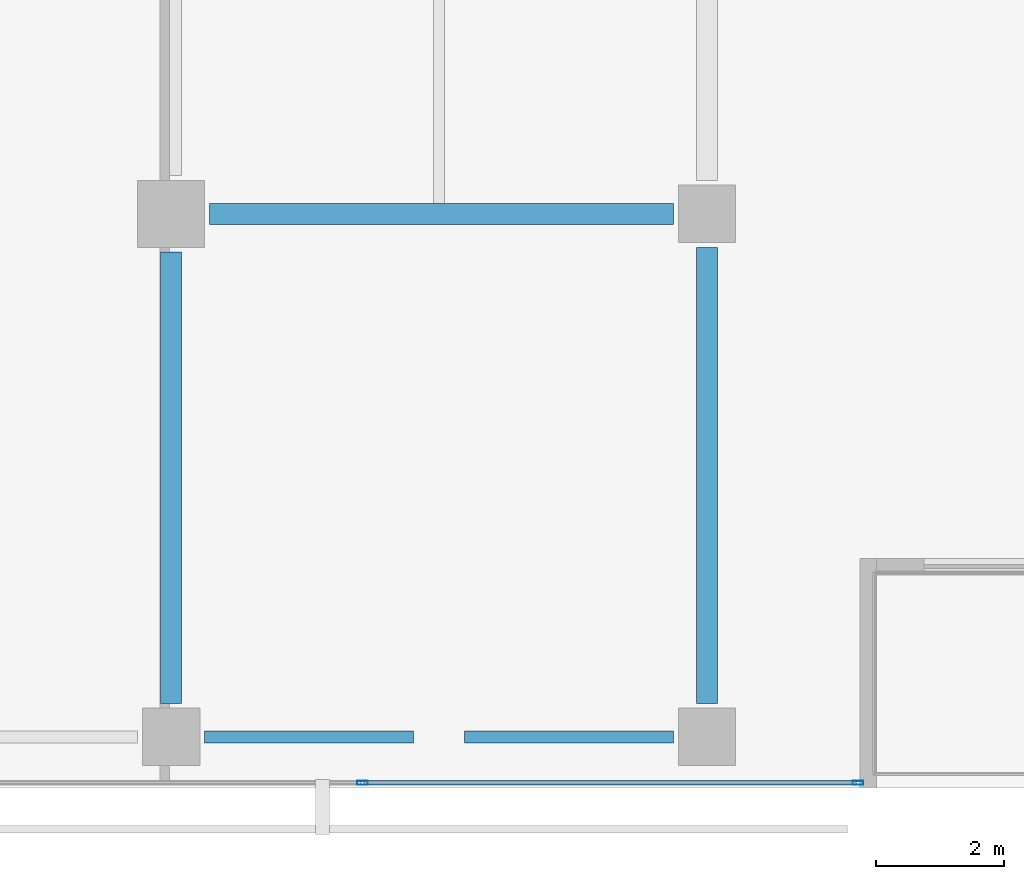
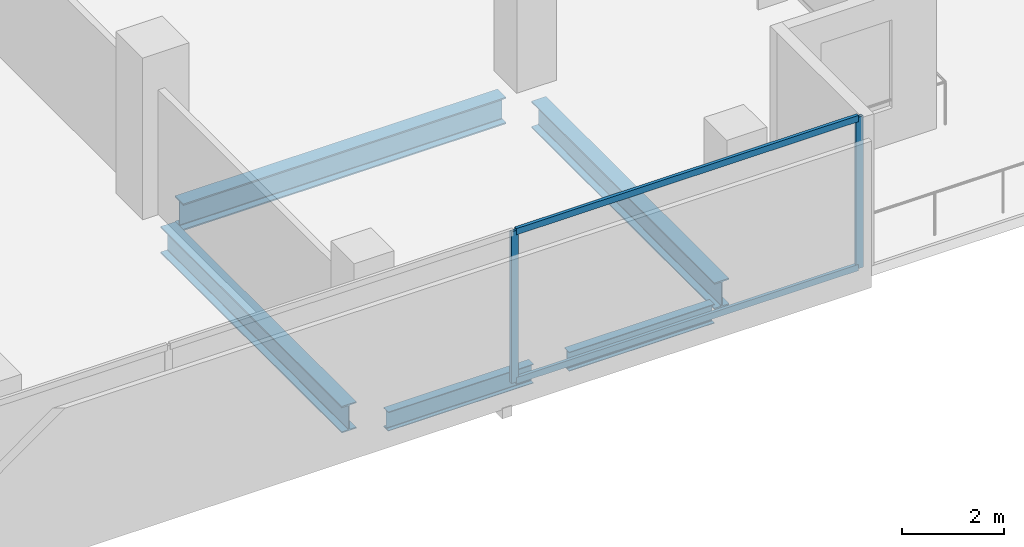
# One storey, part 10 of 31: 5 beams, 4 members, 1 element without a shape of its own.
"""IFC4 building model written with IfcOpenShell, lengths in metres."""

from ifc_helpers import new_model, si_unit, direction, frame, origin, origin_2d, place, context, subcontext, project, spatial, hollow_rectangle, i_section, extrude, material, layer, layer_set, material_profile, profile_set, type_object, element, aggregate, save


model = new_model("IFC4")

# Units and contexts
model_context = context("Model", 3, precision=1e-05, world=origin(), true_north=direction((0.0, 1.0)))
body_context = subcontext(model_context, "Body", "Model", "MODEL_VIEW")
ifc_project = project(units=[si_unit("LENGTHUNIT", "METRE"), si_unit("AREAUNIT", "SQUARE_METRE"), si_unit("VOLUMEUNIT", "CUBIC_METRE"), si_unit("PLANEANGLEUNIT", "RADIAN"), si_unit("MASSUNIT", "GRAM", prefix="KILO")], contexts=[model_context])

# Site, building, storey
site_placement = place(None, origin())
site = spatial("IfcSite", under=ifc_project, at=site_placement, CompositionType="ELEMENT")
building_placement = place(site_placement, origin())
building = spatial("IfcBuilding", under=site, at=building_placement, Name="Maruvema Waterfront Hotel and Observation Tower", CompositionType="ELEMENT")
storey_placement = place(building_placement, frame((0.0, 0.0, 26.949951171875)))
storey = spatial("IfcBuildingStorey", under=building, at=storey_placement, Name="L05", CompositionType="ELEMENT", Elevation=26.949951171875)

# Curtain wall, members
ifc_material_1 = material(Name="Anodised bronze aluminium and solar-control low-E IGU", Category="aluminium")
ifc_layer = layer(ifc_material_1, 0.159912109375, Name="Zone 1 Bronze Inner Thermal Curtain Wall System CW-02")
ifc_layer_set = layer_set([ifc_layer], Name="Anodised bronze aluminium and solar-control low-E IGU")
curtain_wall_type = type_object("IfcCurtainWallType", Name="Zone 1 Bronze Inner Thermal Curtain Wall System CW-02", PredefinedType="USERDEFINED", material=ifc_layer_set)
curtain_wall_placement = place(storey_placement, origin())
curtain_wall = element("IfcCurtainWall", 1, at=curtain_wall_placement, inside=storey, type_object=curtain_wall_type, Name="L05 Curtain Wall CW-L05-S", ObjectType="UNITISED CURTAIN WALL", PredefinedType="USERDEFINED")
ifc_material_2 = material(Name="Anodised architectural bronze aluminium", Category="aluminium")
ifc_material_profile_1 = material_profile(ifc_material_2, hollow_rectangle(XDim=0.070068359375, YDim=0.14990234375, WallThickness=0.00390625, at=origin_2d()), Name="ALU-T70x150")
ifc_profile_set_1 = profile_set([ifc_material_profile_1], Name="Anodised architectural bronze aluminium")
member_type_1 = type_object("IfcMemberType", Name="Curtain Wall Horizontal Transom ALU-T70x150", PredefinedType="USERDEFINED", material=ifc_profile_set_1)
member_1_placement = place(storey_placement, frame((53.429931640625, 0.080078125, 0.030029296875), z_axis=(1.0, 0.0, 0.0), x_axis=(0.0, 1.0, 0.0)))
member_1 = element("IfcMember", 2, at=member_1_placement, type_object=member_type_1, Name="CW-02 transom 6.1", ObjectType="TRANSOM", PredefinedType="USERDEFINED", context=body_context, shape_type="SweptSolid", body=[
    extrude(hollow_rectangle(XDim=0.070068359375, YDim=0.14990234375, WallThickness=0.00390625, at=origin_2d()), origin(), (0.0, 0.0, 1.0), 7.7099609375),
])
member_2_placement = place(storey_placement, frame((53.429931640625, 0.080078125, 3.580078125), z_axis=(1.0, 0.0, 0.0), x_axis=(0.0, 1.0, 0.0)))
member_2 = element("IfcMember", 3, at=member_2_placement, type_object=member_type_1, Name="CW-02 transom 6.2", ObjectType="TRANSOM", PredefinedType="USERDEFINED", context=body_context, shape_type="SweptSolid", body=[
    extrude(hollow_rectangle(XDim=0.070068359375, YDim=0.14990234375, WallThickness=0.00390625, at=origin_2d()), origin(), (0.0, 0.0, 1.0), 7.7099609375),
])
ifc_material_3 = material(Name="Anodised architectural bronze aluminium", Category="aluminium")
ifc_material_profile_2 = material_profile(ifc_material_3, hollow_rectangle(XDim=0.06494140625, YDim=0.1650390625, WallThickness=0.00390625, at=origin_2d()), Name="ALU-M65x165")
ifc_profile_set_2 = profile_set([ifc_material_profile_2], Name="Anodised architectural bronze aluminium")
member_type_2 = type_object("IfcMemberType", Name="Curtain Wall Primary Mullion ALU-M65x165", PredefinedType="MULLION", material=ifc_profile_set_2)
member_3_placement = place(storey_placement, frame((53.39990234375, 0.080078125, 0.0), z_axis=(0.0, 0.0, 1.0), x_axis=(0.0, 1.0, 0.0)))
member_3 = element("IfcMember", 4, at=member_3_placement, type_object=member_type_2, Name="CW-02 mullion 6", PredefinedType="MULLION", context=body_context, shape_type="SweptSolid", body=[
    extrude(hollow_rectangle(XDim=0.06494140625, YDim=0.1650390625, WallThickness=0.00390625, at=origin_2d()), origin(), (0.0, 0.0, 1.0), 3.610107421875),
])
member_4_placement = place(storey_placement, frame((61.169921875, 0.080078125, 0.0), z_axis=(0.0, 0.0, 1.0), x_axis=(0.0, 1.0, 0.0)))
member_4 = element("IfcMember", 5, at=member_4_placement, type_object=member_type_2, Name="CW-02 mullion 7", PredefinedType="MULLION", context=body_context, shape_type="SweptSolid", body=[
    extrude(hollow_rectangle(XDim=0.06494140625, YDim=0.1650390625, WallThickness=0.00390625, at=origin_2d()), origin(), (0.0, 0.0, 1.0), 3.610107421875),
])
aggregate(curtain_wall, [member_3, member_4, member_1, member_2])

# Beams
ifc_material_4 = material(Name="Steel ASTM A572 Grade 50", Category="steel")
ifc_material_profile_3 = material_profile(ifc_material_4, i_section(OverallWidth=0.18994140625, OverallDepth=0.45703125, WebThickness=0.009033203125, FlangeThickness=0.014404296875, FilletRadius=0.014892578125, at=origin_2d()), Name="W460x74.0")
ifc_profile_set_3 = profile_set([ifc_material_profile_3], Name="Steel ASTM A572 Grade 50")
beam_type_1 = type_object("IfcBeamType", Name="Perimeter Spandrel Beam W460x74.0", PredefinedType="SPANDREL", material=ifc_profile_set_3)
for number, where, z_axis, x_axis, name in (
    (6, (50.925048828125, 0.800048828125, -0.468505859375), (1.0, 0.0, 0.0), (0.0, 1.0, 0.0), "L05 Floor Girder EW-06"),
    (7, (55.0, 0.800048828125, -0.468505859375), (1.0, 0.0, 0.0), (0.0, 1.0, 0.0), "L05 Floor Girder EW-07"),
):
    element("IfcBeam", number, at=place(storey_placement, frame(where, z_axis=z_axis, x_axis=x_axis)), inside=storey, type_object=beam_type_1, Name=name, PredefinedType="SPANDREL", context=body_context, shape_type="SweptSolid", body=[
        extrude(i_section(OverallWidth=0.18994140625, OverallDepth=0.45703125, WebThickness=0.009033203125, FlangeThickness=0.014404296875, FilletRadius=0.014892578125, at=origin_2d()), origin(), (0.0, 0.0, 1.0), 3.27490234375),
    ])
ifc_material_5 = material(Name="Steel ASTM A572 Grade 50", Category="steel")
ifc_material_profile_4 = material_profile(ifc_material_5, i_section(OverallWidth=0.3291015625, OverallDepth=0.635009765625, WebThickness=0.017822265625, FlangeThickness=0.031005859375, FilletRadius=0.01806640625, at=origin_2d()), Name="W610x241.0")
ifc_profile_set_4 = profile_set([ifc_material_profile_4], Name="Steel ASTM A572 Grade 50")
beam_type_2 = type_object("IfcBeamType", Name="Primary Floor Girder W610x241.0", PredefinedType="BEAM", material=ifc_profile_set_4)
beam_1_placement = place(storey_placement, frame((51.0, 9.0, -0.557373046875), z_axis=(1.0, 0.0, 0.0), x_axis=(0.0, 1.0, 0.0)))
element("IfcBeam", 8, at=beam_1_placement, inside=storey, type_object=beam_type_2, Name="L05 Floor Girder EW-09", PredefinedType="BEAM", context=body_context, shape_type="SweptSolid", body=[
    extrude(i_section(OverallWidth=0.3291015625, OverallDepth=0.635009765625, WebThickness=0.017822265625, FlangeThickness=0.031005859375, FilletRadius=0.01806640625, at=origin_2d()), origin(), (0.0, 0.0, 1.0), 7.27490234375),
])
beam_2_placement = place(storey_placement, frame((50.39990234375, 1.324951171875, -0.557373046875), z_axis=(0.0, 1.0, 0.0), x_axis=(-1.0, 0.0, 0.0)))
element("IfcBeam", 9, at=beam_2_placement, inside=storey, type_object=beam_type_2, Name="L05 Floor Girder NS-12", PredefinedType="BEAM", context=body_context, shape_type="SweptSolid", body=[
    extrude(i_section(OverallWidth=0.3291015625, OverallDepth=0.635009765625, WebThickness=0.017822265625, FlangeThickness=0.031005859375, FilletRadius=0.01806640625, at=origin_2d()), origin(), (0.0, 0.0, 1.0), 7.074951171875),
])
beam_3_placement = place(storey_placement, frame((58.800048828125, 1.324951171875, -0.557373046875), z_axis=(0.0, 1.0, 0.0), x_axis=(-1.0, 0.0, 0.0)))
element("IfcBeam", 10, at=beam_3_placement, inside=storey, type_object=beam_type_2, Name="L05 Floor Girder NS-17", PredefinedType="BEAM", context=body_context, shape_type="SweptSolid", body=[
    extrude(i_section(OverallWidth=0.3291015625, OverallDepth=0.635009765625, WebThickness=0.017822265625, FlangeThickness=0.031005859375, FilletRadius=0.01806640625, at=origin_2d()), origin(), (0.0, 0.0, 1.0), 7.150146484375),
])

save(model, "model.ifc")
